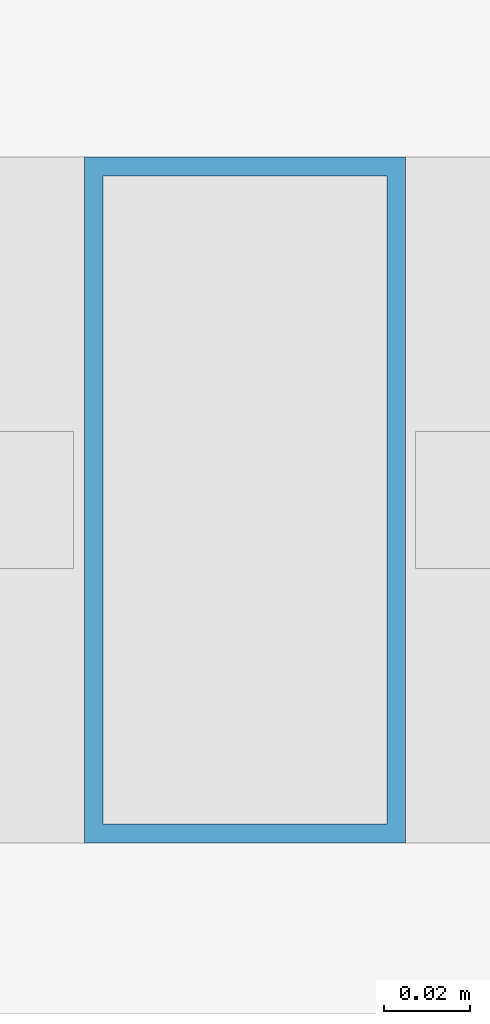
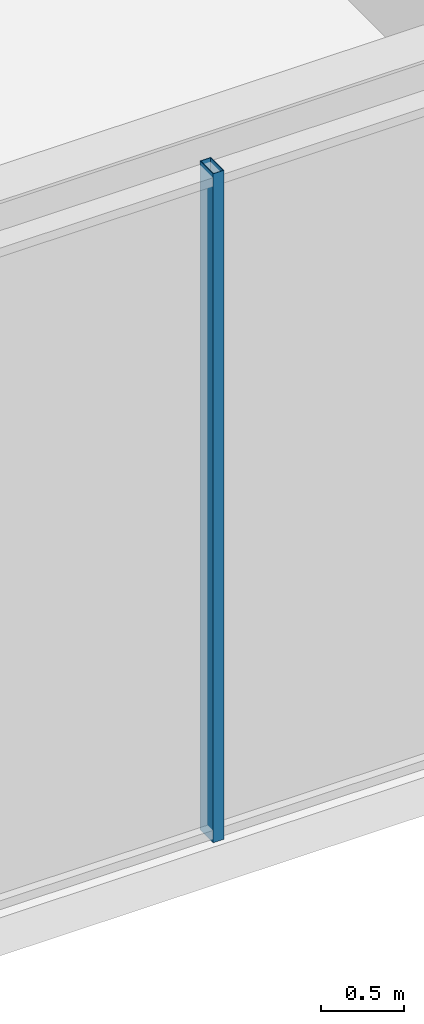
# One storey, part 4 of 49: 1 member, 1 element without a shape of its own.
"""IFC4 building model written with IfcOpenShell, lengths in metres."""

from ifc_helpers import new_model, si_unit, direction, frame, origin, origin_2d, place, context, subcontext, project, spatial, hollow_rectangle, extrude, material, material_profile, profile_set, type_object, element, aggregate, save


model = new_model("IFC4")

# Units and contexts
model_context = context("Model", 3, precision=1e-05, world=origin(), true_north=direction((0.0, 1.0)))
body_context = subcontext(model_context, "Body", "Model", "MODEL_VIEW")
ifc_project = project(units=[si_unit("LENGTHUNIT", "METRE"), si_unit("AREAUNIT", "SQUARE_METRE"), si_unit("VOLUMEUNIT", "CUBIC_METRE"), si_unit("PLANEANGLEUNIT", "RADIAN"), si_unit("MASSUNIT", "GRAM", prefix="KILO")], contexts=[model_context])

# Site, building, storey
site_placement = place(None, origin())
site = spatial("IfcSite", under=ifc_project, at=site_placement, CompositionType="ELEMENT")
building_placement = place(site_placement, origin())
building = spatial("IfcBuilding", under=site, at=building_placement, Name="Kolvaren Belvedere", CompositionType="ELEMENT")
storey_placement = place(building_placement, frame((0.0, 0.0, 10.0)))
storey = spatial("IfcBuildingStorey", under=building, at=storey_placement, Name="L03", CompositionType="ELEMENT", Elevation=10.0)

# Curtain wall, member
ifc_material_1 = material(Name="Anodised pale-metal aluminium AA 6063-T6", Category="aluminium")
curtain_wall_type = type_object("IfcCurtainWallType", Name="CW-POD-A", PredefinedType="NOTDEFINED", material=ifc_material_1)
curtain_wall_placement = place(storey_placement, origin())
curtain_wall = element("IfcCurtainWall", 1, at=curtain_wall_placement, inside=storey, type_object=curtain_wall_type, Name="L03 Unitised Curtain Wall FCW-L03-SEG1", PredefinedType="NOTDEFINED")
ifc_material_2 = material(Name="Anodised pale-metal aluminium AA 6063-T6", Category="aluminium")
ifc_material_profile = material_profile(ifc_material_2, hollow_rectangle(XDim=0.074951171875, YDim=0.159912109375, WallThickness=0.00439453125, at=origin_2d()), Name="ALU-MUL-160X75")
ifc_profile_set = profile_set([ifc_material_profile], Name="Anodised pale-metal aluminium AA 6063-T6")
member_type = type_object("IfcMemberType", Name="CW-MUL-160", PredefinedType="MULLION", material=ifc_profile_set)
member_placement = place(storey_placement, frame((-17.333251953125, -28.280029296875, 0.0), z_axis=(0.0, 0.0, 1.0), x_axis=(1.0, 0.0, 0.0)))
member = element("IfcMember", 2, at=member_placement, type_object=member_type, Name="FCW-L03-SEG1 Unitised Mullion 2", PredefinedType="MULLION", context=body_context, shape_type="SweptSolid", body=[
    extrude(hollow_rectangle(XDim=0.074951171875, YDim=0.159912109375, WallThickness=0.00439453125, at=origin_2d()), origin(), (0.0, 0.0, 1.0), 4.919921875),
])
aggregate(curtain_wall, [member])

save(model, "model.ifc")
